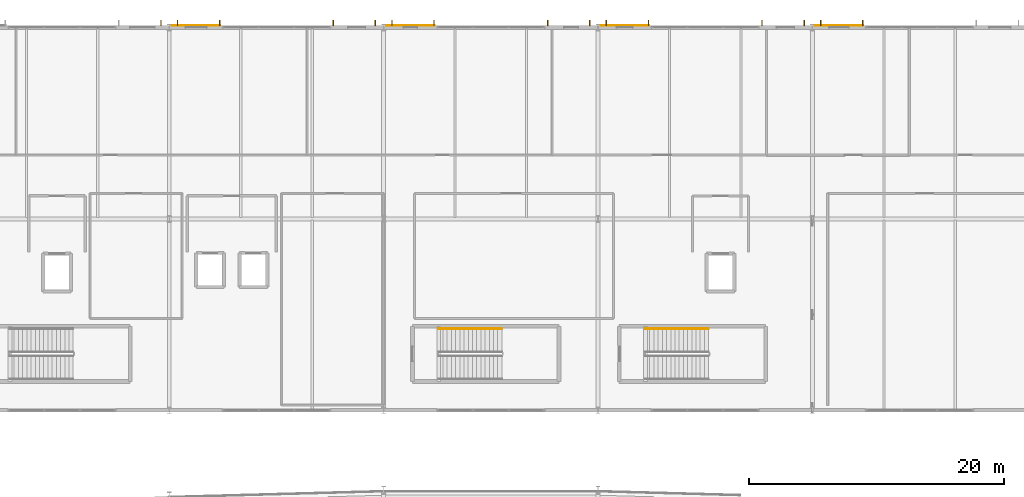
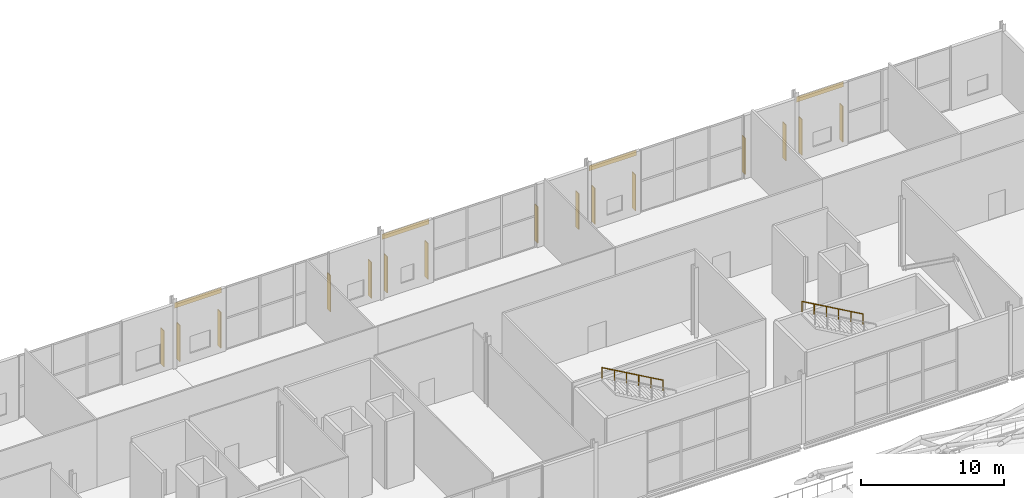
# One storey, part 98 of 100: 15 shading devices, 4 coverings, 2 railings.
"""IFC4 building model written with IfcOpenShell, lengths in metres."""

from ifc_helpers import new_model, si_unit, direction, frame, origin, origin_2d, place, context, subcontext, project, spatial, rectangle, circle, extrude, material, layer, layer_set, type_object, element, save


model = new_model("IFC4")

# Units and contexts
model_context = context("Model", 3, precision=1e-05, world=origin(), true_north=direction((0.0, 1.0)))
body_context = subcontext(model_context, "Body", "Model", "MODEL_VIEW")
ifc_project = project(units=[si_unit("LENGTHUNIT", "METRE"), si_unit("AREAUNIT", "SQUARE_METRE"), si_unit("VOLUMEUNIT", "CUBIC_METRE"), si_unit("PLANEANGLEUNIT", "RADIAN"), si_unit("MASSUNIT", "GRAM", prefix="KILO")], contexts=[model_context])

# Site, building, storey
site_placement = place(None, origin())
site = spatial("IfcSite", under=ifc_project, at=site_placement, CompositionType="ELEMENT")
building_placement = place(site_placement, origin())
building = spatial("IfcBuilding", under=site, at=building_placement, Name="Kimbaza Rail Terminus", CompositionType="ELEMENT")
storey_placement = place(building_placement, frame((0.0, 0.0, 10.800048828125)))
storey = spatial("IfcBuildingStorey", under=building, at=storey_placement, Name="L02", CompositionType="ELEMENT", Elevation=10.800048828125)

# Coverings
ifc_material_1 = material(Name="Champagne anodised aluminium spandrel cladding", Category="aluminium")
ifc_layer = layer(ifc_material_1, 0.034912109375)
ifc_layer_set = layer_set([ifc_layer], Name="Champagne anodised aluminium spandrel cladding")
covering_type = type_object("IfcCoveringType", Name="ARC-COV-CLD1", PredefinedType="CLADDING", material=ifc_layer_set)
for number, where, z_axis, x_axis, name in (
    (1, (90.89990234375, 133.156005859375, 4.8798828125), (0.0, 0.0, 1.0), (1.0, 0.0, 0.0), "North Spandrel Cladding L02 Bay 3"),
    (2, (107.699951171875, 133.156005859375, 4.8798828125), (0.0, 0.0, 1.0), (1.0, 0.0, 0.0), "North Spandrel Cladding L02 Bay 4"),
    (3, (124.5, 133.156005859375, 4.8798828125), (0.0, 0.0, 1.0), (1.0, 0.0, 0.0), "North Spandrel Cladding L02 Bay 5"),
    (4, (141.300048828125, 133.156005859375, 4.8798828125), (0.0, 0.0, 1.0), (1.0, 0.0, 0.0), "North Spandrel Cladding L02 Bay 6"),
):
    element("IfcCovering", number, at=place(storey_placement, frame(where, z_axis=z_axis, x_axis=x_axis)), inside=storey, type_object=covering_type, Name=name, PredefinedType="CLADDING", context=body_context, shape_type="SweptSolid", body=[
        extrude(rectangle(XDim=3.800048828125, YDim=0.034912109375, at=origin_2d()), origin(), (0.0, 0.0, 1.0), 0.449951171875),
    ])

# Railings
ifc_material_2 = material(Name="Brushed stainless steel handrail", Category="steel")
railing_type = type_object("IfcRailingType", Name="ARC-RL-HND92", PredefinedType="HANDRAIL", material=ifc_material_2)
railing_1_placement = place(storey_placement, frame((114.8701171875, 109.389892578125, 3.1875)))
element("IfcRailing", 5, at=railing_1_placement, inside=storey, type_object=railing_type, Name="L02 ST-M1 stair handrail 2", PredefinedType="HANDRAIL", context=body_context, shape_type="SweptSolid", body=[
    extrude(circle(Radius=0.02392578125, at=origin_2d()), frame((0.0, 0.0, 0.8759765625), z_axis=(-0.869464929287, 0.0, 0.493994672785), x_axis=(0.0, -1.0, 0.0)), (0.0, 0.0, 1.0), 5.693359375),
    extrude(circle(Radius=0.02099609375, at=origin_2d()), origin(), (0.0, 0.0, 1.0), 0.851806640625),
    extrude(circle(Radius=0.02099609375, at=origin_2d()), frame((-0.989990234375, 0.0, 0.5625)), (0.0, 0.0, 1.0), 0.851806640625),
    extrude(circle(Radius=0.02099609375, at=origin_2d()), frame((-1.97998046875, 0.0, 1.125)), (0.0, 0.0, 1.0), 0.851806640625),
    extrude(circle(Radius=0.02099609375, at=origin_2d()), frame((-2.97021484375, 0.0, 1.6875)), (0.0, 0.0, 1.0), 0.851806640625),
    extrude(circle(Radius=0.02099609375, at=origin_2d()), frame((-3.960205078125, 0.0, 2.25)), (0.0, 0.0, 1.0), 0.851806640625),
    extrude(circle(Radius=0.02099609375, at=origin_2d()), frame((-4.9501953125, 0.0, 2.8125)), (0.0, 0.0, 1.0), 0.851806640625),
])
railing_2_placement = place(storey_placement, frame((131.070068359375, 109.389892578125, 3.1875)))
element("IfcRailing", 6, at=railing_2_placement, inside=storey, type_object=railing_type, Name="L02 ST-E1 stair handrail 2", PredefinedType="HANDRAIL", context=body_context, shape_type="SweptSolid", body=[
    extrude(circle(Radius=0.02392578125, at=origin_2d()), frame((0.0, 0.0, 0.8759765625), z_axis=(-0.869454464302, 0.0, 0.494013091431), x_axis=(0.0, -1.0, 0.0)), (0.0, 0.0, 1.0), 5.693115234375),
    extrude(circle(Radius=0.02099609375, at=origin_2d()), origin(), (0.0, 0.0, 1.0), 0.851806640625),
    extrude(circle(Radius=0.02099609375, at=origin_2d()), frame((-0.989990234375, 0.0, 0.5625)), (0.0, 0.0, 1.0), 0.851806640625),
    extrude(circle(Radius=0.02099609375, at=origin_2d()), frame((-1.97998046875, 0.0, 1.125)), (0.0, 0.0, 1.0), 0.851806640625),
    extrude(circle(Radius=0.02099609375, at=origin_2d()), frame((-2.969970703125, 0.0, 1.6875)), (0.0, 0.0, 1.0), 0.851806640625),
    extrude(circle(Radius=0.02099609375, at=origin_2d()), frame((-3.9599609375, 0.0, 2.25)), (0.0, 0.0, 1.0), 0.851806640625),
    extrude(circle(Radius=0.02099609375, at=origin_2d()), frame((-4.949951171875, 0.0, 2.8125)), (0.0, 0.0, 1.0), 0.851806640625),
])

# Shading devices
ifc_material_3 = material(Name="Champagne anodised extruded aluminium", Category="aluminium")
shading_device_type = type_object("IfcShadingDeviceType", Name="ARC-SHD-FIN450", PredefinedType="USERDEFINED", material=ifc_material_3)
for number, where, z_axis, x_axis, name in (
    (7, (88.14990234375, 133.363037109375, 0.14990234375), (0.0, 0.0, 1.0), (1.0, 0.0, 0.0), "North Solar Fin L02 Bay 2.4"),
    (8, (89.449951171875, 133.363037109375, 0.14990234375), (0.0, 0.0, 1.0), (1.0, 0.0, 0.0), "North Solar Fin L02 Bay 3.1"),
    (9, (92.75, 133.363037109375, 0.14990234375), (0.0, 0.0, 1.0), (1.0, 0.0, 0.0), "North Solar Fin L02 Bay 3.2"),
    (10, (101.64990234375, 133.363037109375, 0.14990234375), (0.0, 0.0, 1.0), (1.0, 0.0, 0.0), "North Solar Fin L02 Bay 3.3"),
    (11, (104.949951171875, 133.363037109375, 0.14990234375), (0.0, 0.0, 1.0), (1.0, 0.0, 0.0), "North Solar Fin L02 Bay 3.4"),
    (12, (106.25, 133.363037109375, 0.14990234375), (0.0, 0.0, 1.0), (1.0, 0.0, 0.0), "North Solar Fin L02 Bay 4.1"),
    (13, (109.550048828125, 133.363037109375, 0.14990234375), (0.0, 0.0, 1.0), (1.0, 0.0, 0.0), "North Solar Fin L02 Bay 4.2"),
    (14, (118.449951171875, 133.363037109375, 0.14990234375), (0.0, 0.0, 1.0), (1.0, 0.0, 0.0), "North Solar Fin L02 Bay 4.3"),
    (15, (121.75, 133.363037109375, 0.14990234375), (0.0, 0.0, 1.0), (1.0, 0.0, 0.0), "North Solar Fin L02 Bay 4.4"),
    (16, (123.050048828125, 133.363037109375, 0.14990234375), (0.0, 0.0, 1.0), (1.0, 0.0, 0.0), "North Solar Fin L02 Bay 5.1"),
    (17, (126.35009765625, 133.363037109375, 0.14990234375), (0.0, 0.0, 1.0), (1.0, 0.0, 0.0), "North Solar Fin L02 Bay 5.2"),
    (18, (135.25, 133.363037109375, 0.14990234375), (0.0, 0.0, 1.0), (1.0, 0.0, 0.0), "North Solar Fin L02 Bay 5.3"),
    (19, (138.550048828125, 133.363037109375, 0.14990234375), (0.0, 0.0, 1.0), (1.0, 0.0, 0.0), "North Solar Fin L02 Bay 5.4"),
    (20, (139.85009765625, 133.363037109375, 0.14990234375), (0.0, 0.0, 1.0), (1.0, 0.0, 0.0), "North Solar Fin L02 Bay 6.1"),
    (21, (143.14990234375, 133.363037109375, 0.14990234375), (0.0, 0.0, 1.0), (1.0, 0.0, 0.0), "North Solar Fin L02 Bay 6.2"),
):
    element("IfcShadingDevice", number, at=place(storey_placement, frame(where, z_axis=z_axis, x_axis=x_axis)), inside=storey, type_object=shading_device_type, Name=name, ObjectType="BRISE SOLEIL FIN", PredefinedType="USERDEFINED", context=body_context, shape_type="SweptSolid", body=[
        extrude(rectangle(XDim=0.06494140625, YDim=0.449951171875, at=origin_2d()), origin(), (0.0, 0.0, 1.0), 3.10009765625),
    ])

save(model, "model.ifc")
